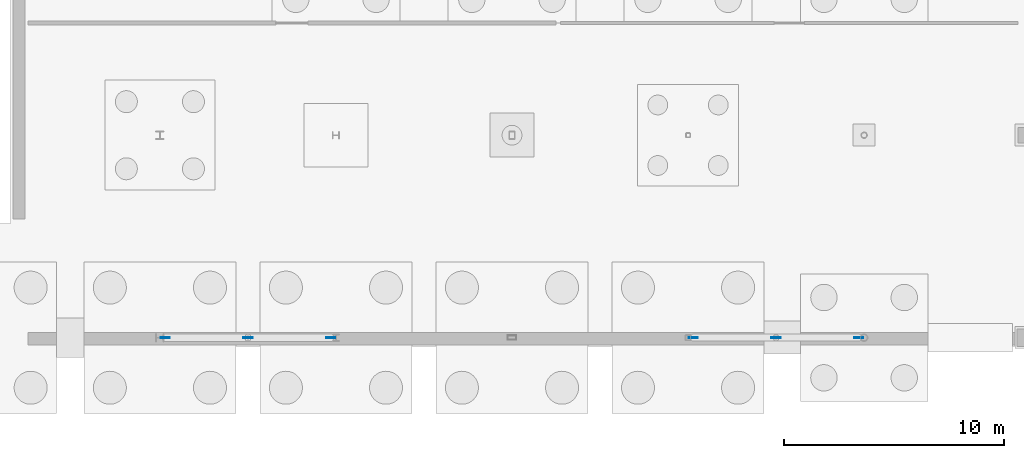
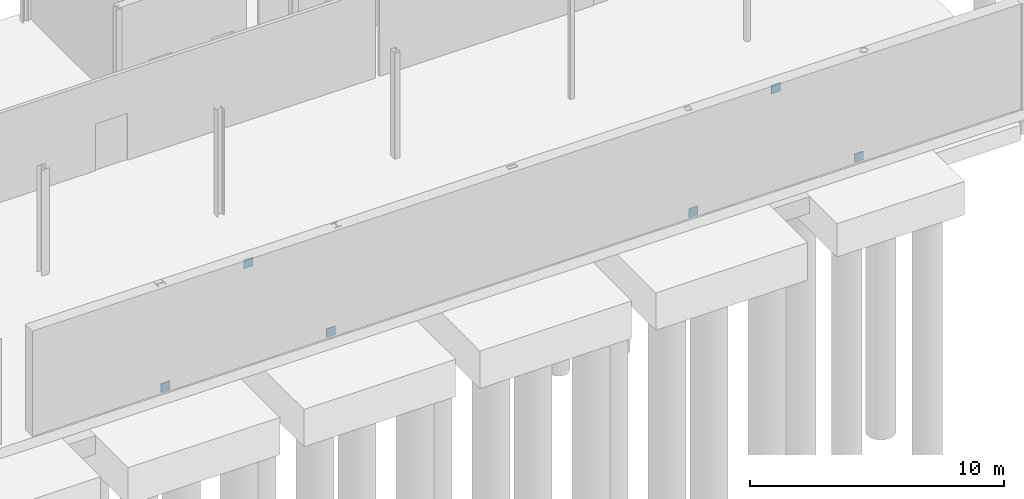
# One storey, part 25 of 33: 6 discrete accessories.
"""IFC4 building model written with IfcOpenShell, lengths in metres."""

from ifc_helpers import new_model, si_unit, direction, frame, origin, origin_2d, place, context, subcontext, project, spatial, rectangle, extrude, material, type_object, element, save


model = new_model("IFC4")

# Units and contexts
model_context = context("Model", 3, precision=1e-05, world=origin(), true_north=direction((0.0, 1.0)))
body_context = subcontext(model_context, "Body", "Model", "MODEL_VIEW")
ifc_project = project(units=[si_unit("LENGTHUNIT", "METRE"), si_unit("AREAUNIT", "SQUARE_METRE"), si_unit("VOLUMEUNIT", "CUBIC_METRE"), si_unit("PLANEANGLEUNIT", "RADIAN"), si_unit("MASSUNIT", "GRAM", prefix="KILO")], contexts=[model_context])

# Site, building, storey
site_placement = place(None, origin())
site = spatial("IfcSite", under=ifc_project, at=site_placement, CompositionType="ELEMENT")
building_placement = place(site_placement, origin())
building = spatial("IfcBuilding", under=site, at=building_placement, Name="Brisemont Oceanarium", CompositionType="ELEMENT")
storey_placement = place(building_placement, frame((0.0, 0.0, -5.39990234375)))
storey = spatial("IfcBuildingStorey", under=building, at=storey_placement, Name="B01", CompositionType="ELEMENT", Elevation=-5.39990234375)

# Discrete accessories
ifc_material = material(Name="Structural Steel ASTM A572 Gr.50", Category="steel")
discrete_accessory_type = type_object("IfcDiscreteAccessoryType", Name="ACC-CAP-STL", PredefinedType="ANCHORPLATE", material=ifc_material)
for number, where, z_axis, x_axis, name in (
    (1, (16.239990234375, 6.800048828125, -0.18994140625), (0.0, 0.0, 1.0), (1.0, 0.0, 0.0), "V2 B01 chevron brace gusset connection WL"),
    (2, (23.760009765625, 6.800048828125, -0.18994140625), (0.0, 0.0, 1.0), (1.0, 0.0, 0.0), "V2 B01 chevron brace gusset connection ER"),
    (3, (20.0, 6.800048828125, 4.429931640625), (0.0, 0.0, 1.0), (1.0, 0.0, 0.0), "V2 B01 chevron brace gusset connection AP"),
    (4, (40.239990234375, 6.800048828125, -0.18994140625), (0.0, 0.0, 1.0), (1.0, 0.0, 0.0), "V2 B01 chevron brace gusset connection WL"),
    (5, (47.760009765625, 6.800048828125, -0.18994140625), (0.0, 0.0, 1.0), (1.0, 0.0, 0.0), "V2 B01 chevron brace gusset connection ER"),
    (6, (44.0, 6.800048828125, 4.429931640625), (0.0, 0.0, 1.0), (1.0, 0.0, 0.0), "V2 B01 chevron brace gusset connection AP"),
):
    element("IfcDiscreteAccessory", number, at=place(storey_placement, frame(where, z_axis=z_axis, x_axis=x_axis)), inside=storey, type_object=discrete_accessory_type, Name=name, PredefinedType="ANCHORPLATE", context=body_context, shape_type="SweptSolid", body=[
        extrude(rectangle(XDim=0.419921875, YDim=0.031982421875, at=origin_2d()), origin(), (0.0, 0.0, 1.0), 0.419921875),
    ])

save(model, "model.ifc")
